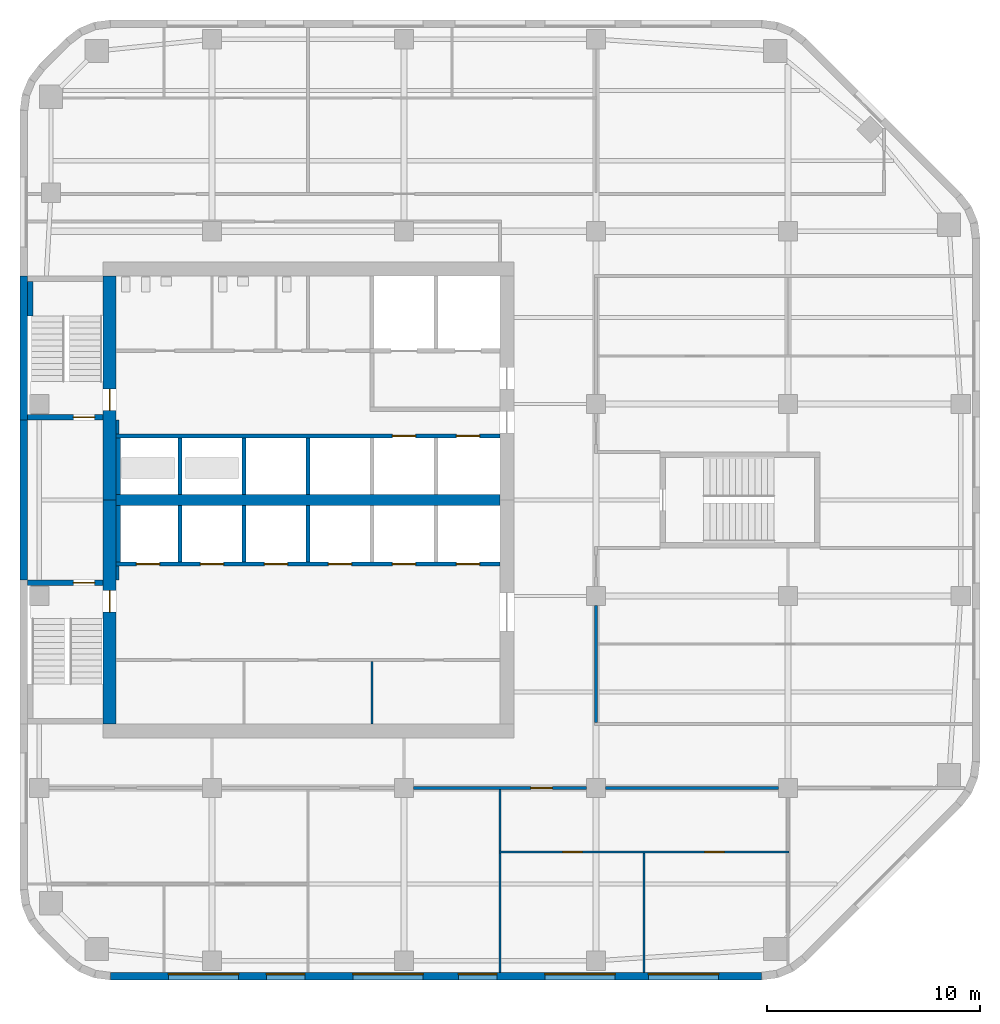
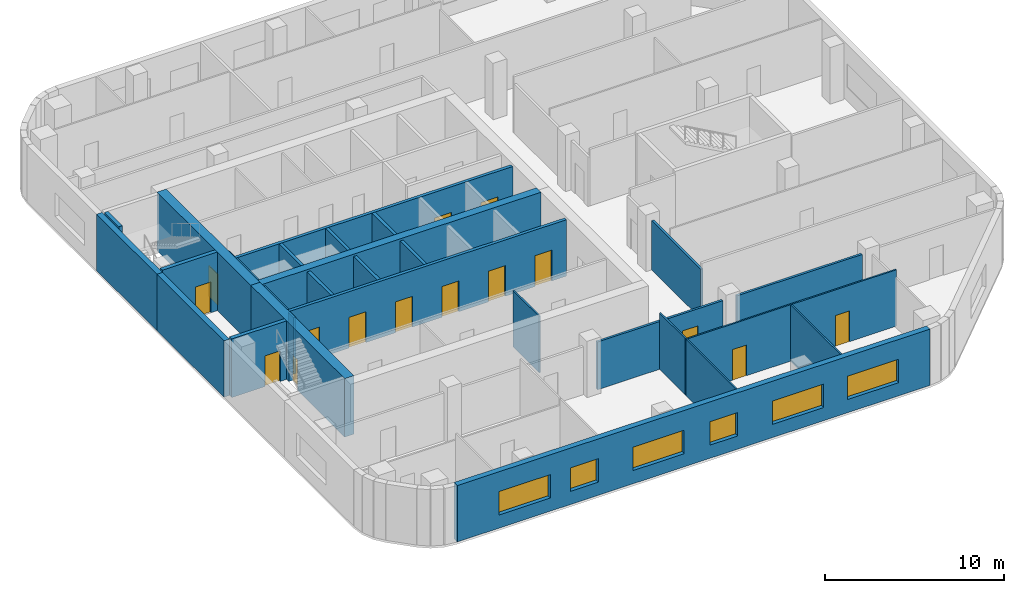
# One storey, part 3 of 9: 29 walls, 15 doors, 6 windows, 21 openings.
"""IFC4 building model written with IfcOpenShell, lengths in metres."""

from ifc_helpers import new_model, si_unit, direction, frame, frame_2d, origin, place, context, subcontext, project, spatial, rectangle, extrude, material, layer, layer_set, type_object, element, fill, save


model = new_model("IFC4")

# Units and contexts
model_context = context("Model", 3, precision=1e-05, world=origin(), true_north=direction((0.0, 1.0)))
body_context = subcontext(model_context, "Body", "Model", "MODEL_VIEW")
ifc_project = project(units=[si_unit("LENGTHUNIT", "METRE"), si_unit("AREAUNIT", "SQUARE_METRE"), si_unit("VOLUMEUNIT", "CUBIC_METRE"), si_unit("PLANEANGLEUNIT", "RADIAN"), si_unit("MASSUNIT", "GRAM", prefix="KILO")], contexts=[model_context])

# Site, building, storey
site_placement = place(None, origin())
site = spatial("IfcSite", under=ifc_project, at=site_placement, CompositionType="ELEMENT")
building_placement = place(site_placement, origin())
building = spatial("IfcBuilding", under=site, at=building_placement, Name="Cinnabar Reach Civic Tower", CompositionType="ELEMENT")
storey_placement = place(building_placement, frame((0.0, 0.0, 153.0)))
storey = spatial("IfcBuildingStorey", under=building, at=storey_placement, Name="L36", CompositionType="ELEMENT", Elevation=153.0)

# Wall, openings, windows
ifc_material_1 = material(Name="Facing brick with insulated backing", Category="masonry")
ifc_layer_1 = layer(ifc_material_1, 0.36)
ifc_layer_set_1 = layer_set([ifc_layer_1], Name="Brick pier and spandrel wall")
wall_type_1 = type_object("IfcWallType", Name="Brick pier and spandrel wall", PredefinedType="STANDARD", material=ifc_layer_set_1)
wall_1_placement = place(storey_placement, frame((4.2426, 9.18, 0.0), z_axis=(0.0, 0.0, 1.0), x_axis=(1.0, 0.0, 0.0)))
wall_1 = element("IfcWall", 1, at=wall_1_placement, inside=storey, type_object=wall_type_1, Name="Brick facade wall", PredefinedType="STANDARD", context=body_context, shape_type="SweptSolid", body=[
    extrude(rectangle(XDim=30.5148, YDim=0.36, at=frame_2d((15.2574, 0.0))), origin(), (0.0, 0.0, 1.0), 3.85),
])
opening_1_placement = place(wall_1_placement, frame((2.7074, 0.0, 0.9)))
opening_1 = element("IfcOpeningElement", 2, at=opening_1_placement, cuts=wall_1, Name="Opening W1741", PredefinedType="OPENING", context=body_context, shape_type="SweptSolid", body=[
    extrude(rectangle(XDim=3.3, YDim=1.6, at=frame_2d((1.65, 0.8))), frame((0.0, 0.19, 0.0), z_axis=(0.0, -1.0, 0.0), x_axis=(1.0, 0.0, 0.0)), (0.0, 0.0, 1.0), 0.38),
])
opening_2_placement = place(wall_1_placement, frame((7.3074, 0.0, 0.9)))
opening_2 = element("IfcOpeningElement", 3, at=opening_2_placement, cuts=wall_1, Name="Opening W1742", PredefinedType="OPENING", context=body_context, shape_type="SweptSolid", body=[
    extrude(rectangle(XDim=1.8, YDim=1.6, at=frame_2d((0.9, 0.8))), frame((0.0, 0.19, 0.0), z_axis=(0.0, -1.0, 0.0), x_axis=(1.0, 0.0, 0.0)), (0.0, 0.0, 1.0), 0.38),
])
opening_3_placement = place(wall_1_placement, frame((11.3574, 0.0, 0.9)))
opening_3 = element("IfcOpeningElement", 4, at=opening_3_placement, cuts=wall_1, Name="Opening W1743", PredefinedType="OPENING", context=body_context, shape_type="SweptSolid", body=[
    extrude(rectangle(XDim=3.3, YDim=1.6, at=frame_2d((1.65, 0.8))), frame((0.0, 0.19, 0.0), z_axis=(0.0, -1.0, 0.0), x_axis=(1.0, 0.0, 0.0)), (0.0, 0.0, 1.0), 0.38),
])
opening_4_placement = place(wall_1_placement, frame((16.3074, 0.0, 0.9)))
opening_4 = element("IfcOpeningElement", 5, at=opening_4_placement, cuts=wall_1, Name="Opening W1744", PredefinedType="OPENING", context=body_context, shape_type="SweptSolid", body=[
    extrude(rectangle(XDim=1.8, YDim=1.6, at=frame_2d((0.9, 0.8))), frame((0.0, 0.19, 0.0), z_axis=(0.0, -1.0, 0.0), x_axis=(1.0, 0.0, 0.0)), (0.0, 0.0, 1.0), 0.38),
])
opening_5_placement = place(wall_1_placement, frame((20.3574, 0.0, 0.9)))
opening_5 = element("IfcOpeningElement", 6, at=opening_5_placement, cuts=wall_1, Name="Opening W1745", PredefinedType="OPENING", context=body_context, shape_type="SweptSolid", body=[
    extrude(rectangle(XDim=3.3, YDim=1.6, at=frame_2d((1.65, 0.8))), frame((0.0, 0.19, 0.0), z_axis=(0.0, -1.0, 0.0), x_axis=(1.0, 0.0, 0.0)), (0.0, 0.0, 1.0), 0.38),
])
opening_6_placement = place(wall_1_placement, frame((25.2074, 0.0, 0.9)))
opening_6 = element("IfcOpeningElement", 7, at=opening_6_placement, cuts=wall_1, Name="Opening W1746", PredefinedType="OPENING", context=body_context, shape_type="SweptSolid", body=[
    extrude(rectangle(XDim=3.3, YDim=1.6, at=frame_2d((1.65, 0.8))), frame((0.0, 0.19, 0.0), z_axis=(0.0, -1.0, 0.0), x_axis=(1.0, 0.0, 0.0)), (0.0, 0.0, 1.0), 0.38),
])
ifc_material_2 = material(Name="Clear double glazing in aluminium frame", Category="aluminium")
window_type_1 = type_object("IfcWindowType", Name="Deep-set window A", PartitioningType="SINGLE_PANEL", PredefinedType="WINDOW", material=ifc_material_2)
window_1_placement = place(opening_1_placement, origin())
window_1 = element("IfcWindow", 8, at=window_1_placement, inside=storey, type_object=window_type_1, Name="Window south face", OverallHeight=1.6, OverallWidth=3.3, PartitioningType="SINGLE_PANEL", PredefinedType="WINDOW", context=body_context, shape_type="SweptSolid", body=[
    extrude(rectangle(XDim=3.3, YDim=1.6, at=frame_2d((1.65, 0.8))), frame((0.0, 0.13, 0.0), z_axis=(0.0, -1.0, 0.0), x_axis=(1.0, 0.0, 0.0)), (0.0, 0.0, 1.0), 0.06),
])
fill(opening_1, window_1)
window_2_placement = place(opening_3_placement, origin())
window_2 = element("IfcWindow", 9, at=window_2_placement, inside=storey, type_object=window_type_1, Name="Window south face", OverallHeight=1.6, OverallWidth=3.3, PartitioningType="SINGLE_PANEL", PredefinedType="WINDOW", context=body_context, shape_type="SweptSolid", body=[
    extrude(rectangle(XDim=3.3, YDim=1.6, at=frame_2d((1.65, 0.8))), frame((0.0, 0.13, 0.0), z_axis=(0.0, -1.0, 0.0), x_axis=(1.0, 0.0, 0.0)), (0.0, 0.0, 1.0), 0.06),
])
fill(opening_3, window_2)
window_3_placement = place(opening_5_placement, origin())
window_3 = element("IfcWindow", 10, at=window_3_placement, inside=storey, type_object=window_type_1, Name="Window south face", OverallHeight=1.6, OverallWidth=3.3, PartitioningType="SINGLE_PANEL", PredefinedType="WINDOW", context=body_context, shape_type="SweptSolid", body=[
    extrude(rectangle(XDim=3.3, YDim=1.6, at=frame_2d((1.65, 0.8))), frame((0.0, 0.13, 0.0), z_axis=(0.0, -1.0, 0.0), x_axis=(1.0, 0.0, 0.0)), (0.0, 0.0, 1.0), 0.06),
])
fill(opening_5, window_3)
window_4_placement = place(opening_6_placement, origin())
window_4 = element("IfcWindow", 11, at=window_4_placement, inside=storey, type_object=window_type_1, Name="Window south face", OverallHeight=1.6, OverallWidth=3.3, PartitioningType="SINGLE_PANEL", PredefinedType="WINDOW", context=body_context, shape_type="SweptSolid", body=[
    extrude(rectangle(XDim=3.3, YDim=1.6, at=frame_2d((1.65, 0.8))), frame((0.0, 0.13, 0.0), z_axis=(0.0, -1.0, 0.0), x_axis=(1.0, 0.0, 0.0)), (0.0, 0.0, 1.0), 0.06),
])
fill(opening_6, window_4)
window_type_2 = type_object("IfcWindowType", Name="Deep-set window D", PartitioningType="SINGLE_PANEL", PredefinedType="WINDOW", material=ifc_material_2)
window_5_placement = place(opening_2_placement, origin())
window_5 = element("IfcWindow", 12, at=window_5_placement, inside=storey, type_object=window_type_2, Name="Window south face", OverallHeight=1.6, OverallWidth=1.8, PartitioningType="SINGLE_PANEL", PredefinedType="WINDOW", context=body_context, shape_type="SweptSolid", body=[
    extrude(rectangle(XDim=1.8, YDim=1.6, at=frame_2d((0.9, 0.8))), frame((0.0, 0.13, 0.0), z_axis=(0.0, -1.0, 0.0), x_axis=(1.0, 0.0, 0.0)), (0.0, 0.0, 1.0), 0.06),
])
fill(opening_2, window_5)
window_6_placement = place(opening_4_placement, origin())
window_6 = element("IfcWindow", 13, at=window_6_placement, inside=storey, type_object=window_type_2, Name="Window south face", OverallHeight=1.6, OverallWidth=1.8, PartitioningType="SINGLE_PANEL", PredefinedType="WINDOW", context=body_context, shape_type="SweptSolid", body=[
    extrude(rectangle(XDim=1.8, YDim=1.6, at=frame_2d((0.9, 0.8))), frame((0.0, 0.13, 0.0), z_axis=(0.0, -1.0, 0.0), x_axis=(1.0, 0.0, 0.0)), (0.0, 0.0, 1.0), 0.06),
])
fill(opening_4, window_6)

# Walls
wall_2_placement = place(storey_placement, frame((0.18, 42.0, 0.0), z_axis=(0.0, 0.0, 1.0), x_axis=(0.0, -1.0, 0.0)))
element("IfcWall", 14, at=wall_2_placement, inside=storey, type_object=wall_type_1, Name="Brick facade wall", PredefinedType="STANDARD", context=body_context, shape_type="SweptSolid", body=[
    extrude(rectangle(XDim=6.75, YDim=0.36, at=frame_2d((3.375, 0.0))), origin(), (0.0, 0.0, 1.0), 3.85),
])
wall_3_placement = place(storey_placement, frame((0.18, 35.25, 0.0), z_axis=(0.0, 0.0, 1.0), x_axis=(0.0, -1.0, 0.0)))
element("IfcWall", 15, at=wall_3_placement, inside=storey, type_object=wall_type_1, Name="Brick facade wall", PredefinedType="STANDARD", context=body_context, shape_type="SweptSolid", body=[
    extrude(rectangle(XDim=7.5, YDim=0.36, at=frame_2d((3.75, 0.0))), origin(), (0.0, 0.0, 1.0), 3.85),
])
ifc_material_3 = material(Name="Concrete C60", Category="concrete")
ifc_layer_2 = layer(ifc_material_3, 0.5)
ifc_layer_set_2 = layer_set([ifc_layer_2], Name="Core wall 500 EI 180")
wall_type_2 = type_object("IfcWallType", Name="Core wall 500 EI 180", PredefinedType="SOLIDWALL", material=ifc_layer_set_2)
wall_4_placement = place(storey_placement, frame((4.5, 31.5, 0.0), z_axis=(0.0, 0.0, 1.0), x_axis=(1.0, 0.0, 0.0)))
element("IfcWall", 16, at=wall_4_placement, inside=storey, type_object=wall_type_2, Name="Core spine wall T1 L36", PredefinedType="SOLIDWALL", context=body_context, shape_type="SweptSolid", body=[
    extrude(rectangle(XDim=18.0, YDim=0.5, at=frame_2d((9.0, 0.0))), origin(), (0.0, 0.0, 1.0), 4.0),
])

# Wall, opening, door
ifc_material_4 = material(Name="Concrete C70", Category="concrete")
ifc_layer_3 = layer(ifc_material_4, 0.6)
ifc_layer_set_3 = layer_set([ifc_layer_3], Name="Core wall 600 EI 180")
wall_type_3 = type_object("IfcWallType", Name="Core wall 600 EI 180", PredefinedType="SOLIDWALL", material=ifc_layer_set_3)
wall_5_placement = place(storey_placement, frame((4.2, 42.0, 0.0), z_axis=(0.0, 0.0, 1.0), x_axis=(0.0, -1.0, 0.0)))
wall_5 = element("IfcWall", 17, at=wall_5_placement, inside=storey, type_object=wall_type_3, Name="Core wall T1 L36 W", PredefinedType="SOLIDWALL", context=body_context, shape_type="SweptSolid", body=[
    extrude(rectangle(XDim=10.5, YDim=0.6, at=frame_2d((5.25, 0.0))), origin(), (0.0, 0.0, 1.0), 4.0),
])
opening_7_placement = place(wall_5_placement, frame((5.3, 0.0, 0.0)))
opening_7 = element("IfcOpeningElement", 18, at=opening_7_placement, cuts=wall_5, Name="Opening D4453", PredefinedType="OPENING", context=body_context, shape_type="SweptSolid", body=[
    extrude(rectangle(XDim=1.0, YDim=2.1, at=frame_2d((0.5, 1.05))), frame((0.0, 0.31, 0.0), z_axis=(0.0, -1.0, 0.0), x_axis=(1.0, 0.0, 0.0)), (0.0, 0.0, 1.0), 0.62),
])
ifc_material_5 = material(Name="Timber door leaf in steel frame", Category="steel")
door_type_1 = type_object("IfcDoorType", Name="Stair door 1000 x 2100 T1", OperationType="SINGLE_SWING_LEFT", PredefinedType="DOOR", material=ifc_material_5)
door_1_placement = place(opening_7_placement, frame((1.0, 0.0, 0.0), z_axis=(0.0, 0.0, 1.0), x_axis=(-1.0, 0.0, 0.0)))
door_1 = element("IfcDoor", 19, at=door_1_placement, inside=storey, type_object=door_type_1, Name="Door D4453", OperationType="SINGLE_SWING_LEFT", OverallHeight=2.1, OverallWidth=1.0, PredefinedType="DOOR", context=body_context, shape_type="SweptSolid", body=[
    extrude(rectangle(XDim=1.0, YDim=2.1, at=frame_2d((0.5, 1.05))), frame((0.0, 0.025, 0.0), z_axis=(0.0, -1.0, 0.0), x_axis=(1.0, 0.0, 0.0)), (0.0, 0.0, 1.0), 0.05),
])
fill(opening_7, door_1)

wall_6_placement = place(storey_placement, frame((4.2, 31.5, 0.0), z_axis=(0.0, 0.0, 1.0), x_axis=(0.0, -1.0, 0.0)))
wall_6 = element("IfcWall", 20, at=wall_6_placement, inside=storey, type_object=wall_type_3, Name="Core wall T1 L36 W2", PredefinedType="SOLIDWALL", context=body_context, shape_type="SweptSolid", body=[
    extrude(rectangle(XDim=10.5, YDim=0.6, at=frame_2d((5.25, 0.0))), origin(), (0.0, 0.0, 1.0), 4.0),
])
opening_8_placement = place(wall_6_placement, frame((4.25, 0.0, 0.0)))
opening_8 = element("IfcOpeningElement", 21, at=opening_8_placement, cuts=wall_6, Name="Opening D4451", PredefinedType="OPENING", context=body_context, shape_type="SweptSolid", body=[
    extrude(rectangle(XDim=1.0, YDim=2.1, at=frame_2d((0.5, 1.05))), frame((0.0, 0.31, 0.0), z_axis=(0.0, -1.0, 0.0), x_axis=(1.0, 0.0, 0.0)), (0.0, 0.0, 1.0), 0.62),
])
door_2_placement = place(opening_8_placement, frame((1.0, 0.0, 0.0), z_axis=(0.0, 0.0, 1.0), x_axis=(-1.0, 0.0, 0.0)))
door_2 = element("IfcDoor", 22, at=door_2_placement, inside=storey, type_object=door_type_1, Name="Door D4451", OperationType="SINGLE_SWING_RIGHT", OverallHeight=2.1, OverallWidth=1.0, PredefinedType="DOOR", context=body_context, shape_type="SweptSolid", body=[
    extrude(rectangle(XDim=1.0, YDim=2.1, at=frame_2d((0.5, 1.05))), frame((0.0, 0.025, 0.0), z_axis=(0.0, -1.0, 0.0), x_axis=(1.0, 0.0, 0.0)), (0.0, 0.0, 1.0), 0.05),
])
fill(opening_8, door_2)

ifc_material_6 = material(Name="Gypsum board on steel studs, double layer", Category="steel")
ifc_layer_4 = layer(ifc_material_6, 0.15)
ifc_layer_set_4 = layer_set([ifc_layer_4], Name="Corridor wall 150 T1")
wall_type_4 = type_object("IfcWallType", Name="Corridor wall 150 T1", PredefinedType="PARTITIONING", material=ifc_layer_set_4)
wall_7_placement = place(storey_placement, frame((18.45, 18.0, 0.0), z_axis=(0.0, 0.0, 1.0), x_axis=(1.0, 0.0, 0.0)))
wall_7 = element("IfcWall", 23, at=wall_7_placement, inside=storey, type_object=wall_type_4, Name="Corridor wall 22", PredefinedType="PARTITIONING", context=body_context, shape_type="SweptSolid", body=[
    extrude(rectangle(XDim=8.1, YDim=0.15, at=frame_2d((4.05, 0.0))), origin(), (0.0, 0.0, 1.0), 3.262),
])
opening_9_placement = place(wall_7_placement, frame((5.5, 0.0, 0.0)))
opening_9 = element("IfcOpeningElement", 24, at=opening_9_placement, cuts=wall_7, Name="Opening D4485", PredefinedType="OPENING", context=body_context, shape_type="SweptSolid", body=[
    extrude(rectangle(XDim=1.0, YDim=2.1, at=frame_2d((0.5, 1.05))), frame((0.0, 0.085, 0.0), z_axis=(0.0, -1.0, 0.0), x_axis=(1.0, 0.0, 0.0)), (0.0, 0.0, 1.0), 0.17),
])
door_type_2 = type_object("IfcDoorType", Name="Tenancy entrance door 1000 x 2100 T1", OperationType="SINGLE_SWING_LEFT", PredefinedType="DOOR", material=ifc_material_5)
door_3_placement = place(opening_9_placement, frame((1.0, 0.0, 0.0), z_axis=(0.0, 0.0, 1.0), x_axis=(-1.0, 0.0, 0.0)))
door_3 = element("IfcDoor", 25, at=door_3_placement, inside=storey, type_object=door_type_2, Name="Door D4485", OperationType="SINGLE_SWING_LEFT", OverallHeight=2.1, OverallWidth=1.0, PredefinedType="DOOR", context=body_context, shape_type="SweptSolid", body=[
    extrude(rectangle(XDim=1.0, YDim=2.1, at=frame_2d((0.5, 1.05))), frame((0.0, 0.025, 0.0), z_axis=(0.0, -1.0, 0.0), x_axis=(1.0, 0.0, 0.0)), (0.0, 0.0, 1.0), 0.05),
])
fill(opening_9, door_3)

# Walls
wall_8_placement = place(storey_placement, frame((27.45, 18.0, 0.0), z_axis=(0.0, 0.0, 1.0), x_axis=(1.0, 0.0, 0.0)))
element("IfcWall", 26, at=wall_8_placement, inside=storey, type_object=wall_type_4, Name="Corridor wall 23", PredefinedType="PARTITIONING", context=body_context, shape_type="SweptSolid", body=[
    extrude(rectangle(XDim=8.1, YDim=0.15, at=frame_2d((4.05, 0.0))), origin(), (0.0, 0.0, 1.0), 3.262),
])
wall_9_placement = place(storey_placement, frame((27.0, 21.075, 0.0), z_axis=(0.0, 0.0, 1.0), x_axis=(0.0, 1.0, 0.0)))
element("IfcWall", 27, at=wall_9_placement, inside=storey, type_object=wall_type_4, Name="Corridor wall 32", PredefinedType="PARTITIONING", context=body_context, shape_type="SweptSolid", body=[
    extrude(rectangle(XDim=5.475, YDim=0.15, at=frame_2d((2.7375, 0.0))), origin(), (0.0, 0.0, 1.0), 3.362),
])
for number, where, z_axis, x_axis, name in (
    (28, (4.575, 27.75, 0.0), (0.0, 0.0, 1.0), (0.0, 1.0, 0.0), "Corridor wall 40"),
    (29, (4.575, 34.6, 0.0), (0.0, 0.0, 1.0), (0.0, 1.0, 0.0), "Corridor wall 41"),
):
    element("IfcWall", number, at=place(storey_placement, frame(where, z_axis=z_axis, x_axis=x_axis)), inside=storey, type_object=wall_type_4, Name=name, PredefinedType="PARTITIONING", context=body_context, shape_type="SweptSolid", body=[
        extrude(rectangle(XDim=0.65, YDim=0.15, at=frame_2d((0.325, 0.0))), origin(), (0.0, 0.0, 1.0), 3.85),
    ])

# Wall, openings, doors
ifc_material_7 = material(Name="Blockwork", Category="masonry")
ifc_layer_5 = layer(ifc_material_7, 0.2)
ifc_layer_set_5 = layer_set([ifc_layer_5], Name="Lift shaft wall 200 T1")
wall_type_5 = type_object("IfcWallType", Name="Lift shaft wall 200 T1", PredefinedType="PARTITIONING", material=ifc_layer_set_5)
wall_10_placement = place(storey_placement, frame((4.5, 28.5, 0.0), z_axis=(0.0, 0.0, 1.0), x_axis=(1.0, 0.0, 0.0)))
wall_10 = element("IfcWall", 30, at=wall_10_placement, inside=storey, type_object=wall_type_5, Name="Lift shaft wall 4", PredefinedType="PARTITIONING", context=body_context, shape_type="SweptSolid", body=[
    extrude(rectangle(XDim=18.0, YDim=0.2, at=frame_2d((9.0, 0.0))), origin(), (0.0, 0.0, 1.0), 3.85),
])
opening_10_placement = place(wall_10_placement, frame((0.95, 0.0, 0.0)))
opening_10 = element("IfcOpeningElement", 31, at=opening_10_placement, cuts=wall_10, Name="Opening D4455", PredefinedType="OPENING", context=body_context, shape_type="SweptSolid", body=[
    extrude(rectangle(XDim=1.1, YDim=2.1, at=frame_2d((0.55, 1.05))), frame((0.0, 0.11, 0.0), z_axis=(0.0, -1.0, 0.0), x_axis=(1.0, 0.0, 0.0)), (0.0, 0.0, 1.0), 0.22),
])
opening_11_placement = place(wall_10_placement, frame((3.95, 0.0, 0.0)))
opening_11 = element("IfcOpeningElement", 32, at=opening_11_placement, cuts=wall_10, Name="Opening D4456", PredefinedType="OPENING", context=body_context, shape_type="SweptSolid", body=[
    extrude(rectangle(XDim=1.1, YDim=2.1, at=frame_2d((0.55, 1.05))), frame((0.0, 0.11, 0.0), z_axis=(0.0, -1.0, 0.0), x_axis=(1.0, 0.0, 0.0)), (0.0, 0.0, 1.0), 0.22),
])
opening_12_placement = place(wall_10_placement, frame((6.95, 0.0, 0.0)))
opening_12 = element("IfcOpeningElement", 33, at=opening_12_placement, cuts=wall_10, Name="Opening D4457", PredefinedType="OPENING", context=body_context, shape_type="SweptSolid", body=[
    extrude(rectangle(XDim=1.1, YDim=2.1, at=frame_2d((0.55, 1.05))), frame((0.0, 0.11, 0.0), z_axis=(0.0, -1.0, 0.0), x_axis=(1.0, 0.0, 0.0)), (0.0, 0.0, 1.0), 0.22),
])
opening_13_placement = place(wall_10_placement, frame((9.95, 0.0, 0.0)))
opening_13 = element("IfcOpeningElement", 34, at=opening_13_placement, cuts=wall_10, Name="Opening D4458", PredefinedType="OPENING", context=body_context, shape_type="SweptSolid", body=[
    extrude(rectangle(XDim=1.1, YDim=2.1, at=frame_2d((0.55, 1.05))), frame((0.0, 0.11, 0.0), z_axis=(0.0, -1.0, 0.0), x_axis=(1.0, 0.0, 0.0)), (0.0, 0.0, 1.0), 0.22),
])
opening_14_placement = place(wall_10_placement, frame((12.95, 0.0, 0.0)))
opening_14 = element("IfcOpeningElement", 35, at=opening_14_placement, cuts=wall_10, Name="Opening D4459", PredefinedType="OPENING", context=body_context, shape_type="SweptSolid", body=[
    extrude(rectangle(XDim=1.1, YDim=2.1, at=frame_2d((0.55, 1.05))), frame((0.0, 0.11, 0.0), z_axis=(0.0, -1.0, 0.0), x_axis=(1.0, 0.0, 0.0)), (0.0, 0.0, 1.0), 0.22),
])
opening_15_placement = place(wall_10_placement, frame((15.95, 0.0, 0.0)))
opening_15 = element("IfcOpeningElement", 36, at=opening_15_placement, cuts=wall_10, Name="Opening D4460", PredefinedType="OPENING", context=body_context, shape_type="SweptSolid", body=[
    extrude(rectangle(XDim=1.1, YDim=2.1, at=frame_2d((0.55, 1.05))), frame((0.0, 0.11, 0.0), z_axis=(0.0, -1.0, 0.0), x_axis=(1.0, 0.0, 0.0)), (0.0, 0.0, 1.0), 0.22),
])
ifc_material_8 = material(Name="Stainless steel sliding door", Category="steel")
door_type_3 = type_object("IfcDoorType", Name="Lift landing door 1100 x 2100 T1", OperationType="SLIDING_TO_LEFT", PredefinedType="DOOR", material=ifc_material_8)
door_4_placement = place(opening_10_placement, origin())
door_4 = element("IfcDoor", 37, at=door_4_placement, inside=storey, type_object=door_type_3, Name="Lift landing door HR1 L36", OperationType="SLIDING_TO_LEFT", OverallHeight=2.1, OverallWidth=1.1, PredefinedType="DOOR", context=body_context, shape_type="SweptSolid", body=[
    extrude(rectangle(XDim=1.1, YDim=2.1, at=frame_2d((0.55, 1.05))), frame((0.0, 0.025, 0.0), z_axis=(0.0, -1.0, 0.0), x_axis=(1.0, 0.0, 0.0)), (0.0, 0.0, 1.0), 0.05),
])
fill(opening_10, door_4)
door_5_placement = place(opening_11_placement, origin())
door_5 = element("IfcDoor", 38, at=door_5_placement, inside=storey, type_object=door_type_3, Name="Lift landing door HR2 L36", OperationType="SLIDING_TO_LEFT", OverallHeight=2.1, OverallWidth=1.1, PredefinedType="DOOR", context=body_context, shape_type="SweptSolid", body=[
    extrude(rectangle(XDim=1.1, YDim=2.1, at=frame_2d((0.55, 1.05))), frame((0.0, 0.025, 0.0), z_axis=(0.0, -1.0, 0.0), x_axis=(1.0, 0.0, 0.0)), (0.0, 0.0, 1.0), 0.05),
])
fill(opening_11, door_5)
door_6_placement = place(opening_12_placement, origin())
door_6 = element("IfcDoor", 39, at=door_6_placement, inside=storey, type_object=door_type_3, Name="Lift landing door HR3 L36", OperationType="SLIDING_TO_LEFT", OverallHeight=2.1, OverallWidth=1.1, PredefinedType="DOOR", context=body_context, shape_type="SweptSolid", body=[
    extrude(rectangle(XDim=1.1, YDim=2.1, at=frame_2d((0.55, 1.05))), frame((0.0, 0.025, 0.0), z_axis=(0.0, -1.0, 0.0), x_axis=(1.0, 0.0, 0.0)), (0.0, 0.0, 1.0), 0.05),
])
fill(opening_12, door_6)
door_7_placement = place(opening_13_placement, origin())
door_7 = element("IfcDoor", 40, at=door_7_placement, inside=storey, type_object=door_type_3, Name="Lift landing door HR4 L36", OperationType="SLIDING_TO_LEFT", OverallHeight=2.1, OverallWidth=1.1, PredefinedType="DOOR", context=body_context, shape_type="SweptSolid", body=[
    extrude(rectangle(XDim=1.1, YDim=2.1, at=frame_2d((0.55, 1.05))), frame((0.0, 0.025, 0.0), z_axis=(0.0, -1.0, 0.0), x_axis=(1.0, 0.0, 0.0)), (0.0, 0.0, 1.0), 0.05),
])
fill(opening_13, door_7)
door_8_placement = place(opening_14_placement, origin())
door_8 = element("IfcDoor", 41, at=door_8_placement, inside=storey, type_object=door_type_3, Name="Lift landing door HR5 L36", OperationType="SLIDING_TO_LEFT", OverallHeight=2.1, OverallWidth=1.1, PredefinedType="DOOR", context=body_context, shape_type="SweptSolid", body=[
    extrude(rectangle(XDim=1.1, YDim=2.1, at=frame_2d((0.55, 1.05))), frame((0.0, 0.025, 0.0), z_axis=(0.0, -1.0, 0.0), x_axis=(1.0, 0.0, 0.0)), (0.0, 0.0, 1.0), 0.05),
])
fill(opening_14, door_8)
door_9_placement = place(opening_15_placement, origin())
door_9 = element("IfcDoor", 42, at=door_9_placement, inside=storey, type_object=door_type_3, Name="Lift landing door HR6 L36", OperationType="SLIDING_TO_LEFT", OverallHeight=2.1, OverallWidth=1.1, PredefinedType="DOOR", context=body_context, shape_type="SweptSolid", body=[
    extrude(rectangle(XDim=1.1, YDim=2.1, at=frame_2d((0.55, 1.05))), frame((0.0, 0.025, 0.0), z_axis=(0.0, -1.0, 0.0), x_axis=(1.0, 0.0, 0.0)), (0.0, 0.0, 1.0), 0.05),
])
fill(opening_15, door_9)

wall_11_placement = place(storey_placement, frame((4.5, 34.5, 0.0), z_axis=(0.0, 0.0, 1.0), x_axis=(1.0, 0.0, 0.0)))
wall_11 = element("IfcWall", 43, at=wall_11_placement, inside=storey, type_object=wall_type_5, Name="Lift shaft wall 5", PredefinedType="PARTITIONING", context=body_context, shape_type="SweptSolid", body=[
    extrude(rectangle(XDim=18.0, YDim=0.2, at=frame_2d((9.0, 0.0))), origin(), (0.0, 0.0, 1.0), 3.85),
])
opening_16_placement = place(wall_11_placement, frame((12.95, 0.0, 0.0)))
opening_16 = element("IfcOpeningElement", 44, at=opening_16_placement, cuts=wall_11, Name="Opening D4461", PredefinedType="OPENING", context=body_context, shape_type="SweptSolid", body=[
    extrude(rectangle(XDim=1.1, YDim=2.1, at=frame_2d((0.55, 1.05))), frame((0.0, 0.11, 0.0), z_axis=(0.0, -1.0, 0.0), x_axis=(1.0, 0.0, 0.0)), (0.0, 0.0, 1.0), 0.22),
])
opening_17_placement = place(wall_11_placement, frame((15.95, 0.0, 0.0)))
opening_17 = element("IfcOpeningElement", 45, at=opening_17_placement, cuts=wall_11, Name="Opening D4462", PredefinedType="OPENING", context=body_context, shape_type="SweptSolid", body=[
    extrude(rectangle(XDim=1.1, YDim=2.1, at=frame_2d((0.55, 1.05))), frame((0.0, 0.11, 0.0), z_axis=(0.0, -1.0, 0.0), x_axis=(1.0, 0.0, 0.0)), (0.0, 0.0, 1.0), 0.22),
])
door_10_placement = place(opening_16_placement, origin())
door_10 = element("IfcDoor", 46, at=door_10_placement, inside=storey, type_object=door_type_3, Name="Lift landing door SV1 L36", OperationType="SLIDING_TO_LEFT", OverallHeight=2.1, OverallWidth=1.1, PredefinedType="DOOR", context=body_context, shape_type="SweptSolid", body=[
    extrude(rectangle(XDim=1.1, YDim=2.1, at=frame_2d((0.55, 1.05))), frame((0.0, 0.025, 0.0), z_axis=(0.0, -1.0, 0.0), x_axis=(1.0, 0.0, 0.0)), (0.0, 0.0, 1.0), 0.05),
])
fill(opening_16, door_10)
door_11_placement = place(opening_17_placement, origin())
door_11 = element("IfcDoor", 47, at=door_11_placement, inside=storey, type_object=door_type_3, Name="Lift landing door SV2 L36", OperationType="SLIDING_TO_LEFT", OverallHeight=2.1, OverallWidth=1.1, PredefinedType="DOOR", context=body_context, shape_type="SweptSolid", body=[
    extrude(rectangle(XDim=1.1, YDim=2.1, at=frame_2d((0.55, 1.05))), frame((0.0, 0.025, 0.0), z_axis=(0.0, -1.0, 0.0), x_axis=(1.0, 0.0, 0.0)), (0.0, 0.0, 1.0), 0.05),
])
fill(opening_17, door_11)

# Walls
for number, where, z_axis, x_axis, name in (
    (48, (4.6, 31.75, 0.0), (0.0, 0.0, 1.0), (0.0, 1.0, 0.0), "Lift shaft wall 6"),
    (49, (4.6, 28.6, 0.0), (0.0, 0.0, 1.0), (0.0, 1.0, 0.0), "Lift shaft wall 7"),
    (50, (7.5, 28.6, 0.0), (0.0, 0.0, 1.0), (0.0, 1.0, 0.0), "Lift shaft wall 8"),
    (51, (7.5, 31.75, 0.0), (0.0, 0.0, 1.0), (0.0, 1.0, 0.0), "Lift shaft wall 9"),
    (52, (10.5, 28.6, 0.0), (0.0, 0.0, 1.0), (0.0, 1.0, 0.0), "Lift shaft wall 10"),
    (53, (10.5, 31.75, 0.0), (0.0, 0.0, 1.0), (0.0, 1.0, 0.0), "Lift shaft wall 11"),
    (54, (13.5, 28.6, 0.0), (0.0, 0.0, 1.0), (0.0, 1.0, 0.0), "Lift shaft wall 12"),
    (55, (13.5, 31.75, 0.0), (0.0, 0.0, 1.0), (0.0, 1.0, 0.0), "Lift shaft wall 13"),
):
    element("IfcWall", number, at=place(storey_placement, frame(where, z_axis=z_axis, x_axis=x_axis)), inside=storey, type_object=wall_type_5, Name=name, PredefinedType="PARTITIONING", context=body_context, shape_type="SweptSolid", body=[
        extrude(rectangle(XDim=2.65, YDim=0.2, at=frame_2d((1.325, 0.0))), origin(), (0.0, 0.0, 1.0), 3.85),
    ])

# Wall, openings, doors
ifc_material_9 = material(Name="Gypsum board on steel studs", Category="steel")
ifc_layer_6 = layer(ifc_material_9, 0.1)
ifc_layer_set_6 = layer_set([ifc_layer_6], Name="Partition wall 100 T1")
wall_type_6 = type_object("IfcWallType", Name="Partition wall 100 T1", PredefinedType="PARTITIONING", material=ifc_layer_set_6)
wall_12_placement = place(storey_placement, frame((22.45, 15.0, 0.0), z_axis=(0.0, 0.0, 1.0), x_axis=(1.0, 0.0, 0.0)))
wall_12 = element("IfcWall", 56, at=wall_12_placement, inside=storey, type_object=wall_type_6, Name="Partition wall 49", PredefinedType="PARTITIONING", context=body_context, shape_type="SweptSolid", body=[
    extrude(rectangle(XDim=13.6, YDim=0.1, at=frame_2d((6.8, 0.0))), origin(), (0.0, 0.0, 1.0), 3.85),
])
opening_18_placement = place(wall_12_placement, frame((3.0, 0.0, 0.0)))
opening_18 = element("IfcOpeningElement", 57, at=opening_18_placement, cuts=wall_12, Name="Opening D4486", PredefinedType="OPENING", context=body_context, shape_type="SweptSolid", body=[
    extrude(rectangle(XDim=0.9, YDim=2.1, at=frame_2d((0.45, 1.05))), frame((0.0, 0.06, 0.0), z_axis=(0.0, -1.0, 0.0), x_axis=(1.0, 0.0, 0.0)), (0.0, 0.0, 1.0), 0.12),
])
opening_19_placement = place(wall_12_placement, frame((9.65, 0.0, 0.0)))
opening_19 = element("IfcOpeningElement", 58, at=opening_19_placement, cuts=wall_12, Name="Opening D4487", PredefinedType="OPENING", context=body_context, shape_type="SweptSolid", body=[
    extrude(rectangle(XDim=0.9, YDim=2.1, at=frame_2d((0.45, 1.05))), frame((0.0, 0.06, 0.0), z_axis=(0.0, -1.0, 0.0), x_axis=(1.0, 0.0, 0.0)), (0.0, 0.0, 1.0), 0.12),
])
door_type_4 = type_object("IfcDoorType", Name="Single swing door 900 x 2100 T1", OperationType="SINGLE_SWING_LEFT", PredefinedType="DOOR", material=ifc_material_5)
door_12_placement = place(opening_18_placement, frame((0.9, 0.0, 0.0), z_axis=(0.0, 0.0, 1.0), x_axis=(-1.0, 0.0, 0.0)))
door_12 = element("IfcDoor", 59, at=door_12_placement, inside=storey, type_object=door_type_4, Name="Door D4486", OperationType="SINGLE_SWING_RIGHT", OverallHeight=2.1, OverallWidth=0.9, PredefinedType="DOOR", context=body_context, shape_type="SweptSolid", body=[
    extrude(rectangle(XDim=0.9, YDim=2.1, at=frame_2d((0.45, 1.05))), frame((0.0, 0.025, 0.0), z_axis=(0.0, -1.0, 0.0), x_axis=(1.0, 0.0, 0.0)), (0.0, 0.0, 1.0), 0.05),
])
fill(opening_18, door_12)
door_13_placement = place(opening_19_placement, frame((0.9, 0.0, 0.0), z_axis=(0.0, 0.0, 1.0), x_axis=(-1.0, 0.0, 0.0)))
door_13 = element("IfcDoor", 60, at=door_13_placement, inside=storey, type_object=door_type_4, Name="Door D4487", OperationType="SINGLE_SWING_RIGHT", OverallHeight=2.1, OverallWidth=0.9, PredefinedType="DOOR", context=body_context, shape_type="SweptSolid", body=[
    extrude(rectangle(XDim=0.9, YDim=2.1, at=frame_2d((0.45, 1.05))), frame((0.0, 0.025, 0.0), z_axis=(0.0, -1.0, 0.0), x_axis=(1.0, 0.0, 0.0)), (0.0, 0.0, 1.0), 0.05),
])
fill(opening_19, door_13)

# Walls
wall_13_placement = place(storey_placement, frame((22.5, 15.05, 0.0), z_axis=(0.0, 0.0, 1.0), x_axis=(0.0, 1.0, 0.0)))
element("IfcWall", 61, at=wall_13_placement, inside=storey, type_object=wall_type_6, Name="Partition wall 53", PredefinedType="PARTITIONING", context=body_context, shape_type="SweptSolid", body=[
    extrude(rectangle(XDim=2.875, YDim=0.1, at=frame_2d((1.4375, 0.0))), origin(), (0.0, 0.0, 1.0), 3.85),
])
for number, where, z_axis, x_axis, name in (
    (62, (22.5, 9.36, 0.0), (0.0, 0.0, 1.0), (0.0, 1.0, 0.0), "Partition wall 54"),
    (63, (29.25, 9.36, 0.0), (0.0, 0.0, 1.0), (0.0, 1.0, 0.0), "Partition wall 59"),
):
    element("IfcWall", number, at=place(storey_placement, frame(where, z_axis=z_axis, x_axis=x_axis)), inside=storey, type_object=wall_type_6, Name=name, PredefinedType="PARTITIONING", context=body_context, shape_type="SweptSolid", body=[
        extrude(rectangle(XDim=5.59, YDim=0.1, at=frame_2d((2.795, 0.0))), origin(), (0.0, 0.0, 1.0), 3.85),
    ])
wall_14_placement = place(storey_placement, frame((16.5, 21.0, 0.0), z_axis=(0.0, 0.0, 1.0), x_axis=(0.0, 1.0, 0.0)))
element("IfcWall", 64, at=wall_14_placement, inside=storey, type_object=wall_type_6, Name="Partition wall 67", PredefinedType="PARTITIONING", context=body_context, shape_type="SweptSolid", body=[
    extrude(rectangle(XDim=2.925, YDim=0.1, at=frame_2d((1.4625, 0.0))), origin(), (0.0, 0.0, 1.0), 3.85),
])

# Wall, opening, door
ifc_layer_7 = layer(ifc_material_3, 0.25)
ifc_layer_set_7 = layer_set([ifc_layer_7], Name="Stair shaft wall 250 EI 120")
wall_type_7 = type_object("IfcWallType", Name="Stair shaft wall 250 EI 120", PredefinedType="SOLIDWALL", material=ifc_layer_set_7)
wall_15_placement = place(storey_placement, frame((3.9, 27.625, 0.0), z_axis=(0.0, 0.0, 1.0), x_axis=(-1.0, 0.0, 0.0)))
wall_15 = element("IfcWall", 65, at=wall_15_placement, inside=storey, type_object=wall_type_7, Name="Stair shaft wall T1-S1 L36", PredefinedType="SOLIDWALL", context=body_context, shape_type="SweptSolid", body=[
    extrude(rectangle(XDim=3.54, YDim=0.25, at=frame_2d((1.77, 0.0))), origin(), (0.0, 0.0, 1.0), 4.0),
])
opening_20_placement = place(wall_15_placement, frame((0.4, 0.0, 0.0)))
opening_20 = element("IfcOpeningElement", 66, at=opening_20_placement, cuts=wall_15, Name="Opening D4452", PredefinedType="OPENING", context=body_context, shape_type="SweptSolid", body=[
    extrude(rectangle(XDim=1.0, YDim=2.1, at=frame_2d((0.5, 1.05))), frame((0.0, 0.135, 0.0), z_axis=(0.0, -1.0, 0.0), x_axis=(1.0, 0.0, 0.0)), (0.0, 0.0, 1.0), 0.27),
])
door_14_placement = place(opening_20_placement, origin())
door_14 = element("IfcDoor", 67, at=door_14_placement, inside=storey, type_object=door_type_1, Name="Door D4452", OperationType="SINGLE_SWING_LEFT", OverallHeight=2.1, OverallWidth=1.0, PredefinedType="DOOR", context=body_context, shape_type="SweptSolid", body=[
    extrude(rectangle(XDim=1.0, YDim=2.1, at=frame_2d((0.5, 1.05))), frame((0.0, 0.025, 0.0), z_axis=(0.0, -1.0, 0.0), x_axis=(1.0, 0.0, 0.0)), (0.0, 0.0, 1.0), 0.05),
])
fill(opening_20, door_14)

wall_16_placement = place(storey_placement, frame((0.36, 35.375, 0.0), z_axis=(0.0, 0.0, 1.0), x_axis=(1.0, 0.0, 0.0)))
wall_16 = element("IfcWall", 68, at=wall_16_placement, inside=storey, type_object=wall_type_7, Name="Stair shaft wall T1-S2 L36", PredefinedType="SOLIDWALL", context=body_context, shape_type="SweptSolid", body=[
    extrude(rectangle(XDim=3.54, YDim=0.25, at=frame_2d((1.77, 0.0))), origin(), (0.0, 0.0, 1.0), 4.0),
])
opening_21_placement = place(wall_16_placement, frame((2.14, 0.0, 0.0)))
opening_21 = element("IfcOpeningElement", 69, at=opening_21_placement, cuts=wall_16, Name="Opening D4454", PredefinedType="OPENING", context=body_context, shape_type="SweptSolid", body=[
    extrude(rectangle(XDim=1.0, YDim=2.1, at=frame_2d((0.5, 1.05))), frame((0.0, 0.135, 0.0), z_axis=(0.0, -1.0, 0.0), x_axis=(1.0, 0.0, 0.0)), (0.0, 0.0, 1.0), 0.27),
])
door_15_placement = place(opening_21_placement, origin())
door_15 = element("IfcDoor", 70, at=door_15_placement, inside=storey, type_object=door_type_1, Name="Door D4454", OperationType="SINGLE_SWING_RIGHT", OverallHeight=2.1, OverallWidth=1.0, PredefinedType="DOOR", context=body_context, shape_type="SweptSolid", body=[
    extrude(rectangle(XDim=1.0, YDim=2.1, at=frame_2d((0.5, 1.05))), frame((0.0, 0.025, 0.0), z_axis=(0.0, -1.0, 0.0), x_axis=(1.0, 0.0, 0.0)), (0.0, 0.0, 1.0), 0.05),
])
fill(opening_21, door_15)

# Wall
ifc_material_10 = material(Name="Concrete C40/50", Category="concrete")
ifc_layer_8 = layer(ifc_material_10, 0.24)
ifc_layer_set_8 = layer_set([ifc_layer_8], Name="T1 landing bearer wall 240")
wall_type_8 = type_object("IfcWallType", Name="T1 landing bearer wall 240", PredefinedType="STANDARD", material=ifc_layer_set_8)
wall_17_placement = place(storey_placement, frame((0.48, 40.13, 0.0), z_axis=(0.0, 0.0, 1.0), x_axis=(0.0, 1.0, 0.0)))
element("IfcWall", 71, at=wall_17_placement, inside=storey, type_object=wall_type_8, Name="T1-S2 landing bearer wall", PredefinedType="STANDARD", context=body_context, shape_type="SweptSolid", body=[
    extrude(rectangle(XDim=1.62, YDim=0.24, at=frame_2d((0.81, 0.0))), origin(), (0.0, 0.0, 1.0), 4.0),
])

save(model, "model.ifc")
